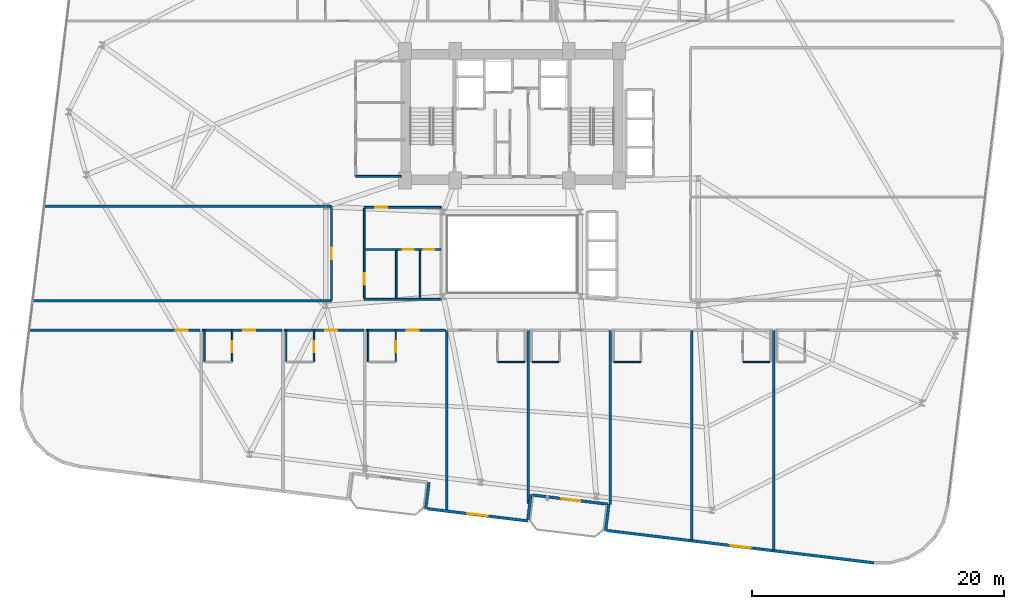
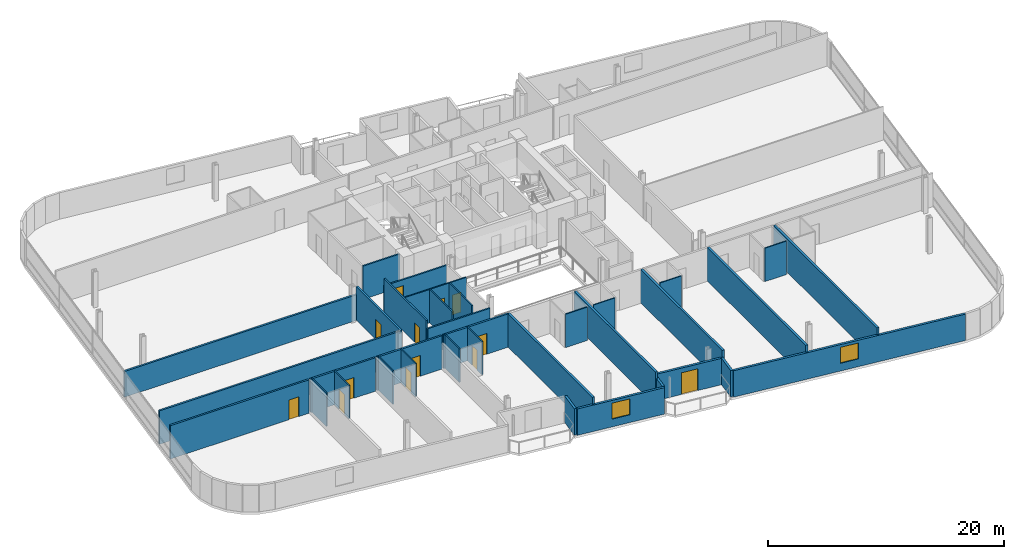
# One storey, part 20 of 26: 35 walls, 13 doors, 2 windows, 15 openings.
"""IFC4 building model written with IfcOpenShell, lengths in metres."""

from ifc_helpers import new_model, si_unit, direction, frame, frame_2d, origin, place, context, subcontext, project, spatial, rectangle, extrude, material, layer, layer_set, type_object, element, fill, save


model = new_model("IFC4")

# Units and contexts
model_context = context("Model", 3, precision=1e-05, world=origin(), true_north=direction((0.0, 1.0)))
body_context = subcontext(model_context, "Body", "Model", "MODEL_VIEW")
ifc_project = project(units=[si_unit("LENGTHUNIT", "METRE"), si_unit("AREAUNIT", "SQUARE_METRE"), si_unit("VOLUMEUNIT", "CUBIC_METRE"), si_unit("PLANEANGLEUNIT", "RADIAN"), si_unit("MASSUNIT", "GRAM", prefix="KILO")], contexts=[model_context])

# Site, building, storey
site_placement = place(None, origin())
site = spatial("IfcSite", under=ifc_project, at=site_placement, CompositionType="ELEMENT")
building_placement = place(site_placement, origin())
building = spatial("IfcBuilding", under=site, at=building_placement, Name="Varnelok Gate Tower", CompositionType="ELEMENT")
storey_placement = place(building_placement, frame((0.0, 0.0, 125.39990234375)))
storey = spatial("IfcBuildingStorey", under=building, at=storey_placement, Name="L31", CompositionType="ELEMENT", Elevation=125.39990234375)

# Wall, opening, door
ifc_material_1 = material(Name="Concrete C45/55", Category="concrete")
ifc_layer_1 = layer(ifc_material_1, 0.219970703125)
ifc_layer_set_1 = layer_set([ifc_layer_1], Name="Concrete C45/55")
wall_type_1 = type_object("IfcWallType", Name="EW-BALC-220", PredefinedType="SOLIDWALL", material=ifc_layer_set_1)
wall_1_placement = place(storey_placement, frame((46.77587890625, 3.03662109375, 0.0), z_axis=(0.0, 0.0, 1.0), x_axis=(-0.992735402148, 0.120318000826, 0.0)))
wall_1 = element("IfcWall", 1, at=wall_1_placement, inside=storey, type_object=wall_type_1, Name="L31 South Terrace Envelope Wall 2", PredefinedType="SOLIDWALL", context=body_context, shape_type="SweptSolid", body=[
    extrude(rectangle(XDim=6.000244140625, YDim=0.219970703125, at=frame_2d((3.0, 0.0))), origin(), (0.0, 0.0, 1.0), 2.72998046875),
])
opening_1_placement = place(wall_1_placement, frame((2.176025390625, 0.0, 0.0)))
opening_1 = element("IfcOpeningElement", 2, at=opening_1_placement, cuts=wall_1, Name="Opening BD-1", PredefinedType="OPENING", context=body_context, shape_type="SweptSolid", body=[
    extrude(rectangle(XDim=1.5, YDim=2.25, at=frame_2d((0.75, 1.125))), frame((0.0, 0.119873046875, 0.0), z_axis=(0.0, -1.0, 0.0), x_axis=(1.0, 0.0, 0.0)), (0.0, 0.0, 1.0), 0.239990234375),
])
ifc_material_2 = material(Name="Anodized Aluminum Alloy 6063-T6", Category="aluminium")
door_type_1 = type_object("IfcDoorType", Name="DR-EXT-BALC1500", OperationType="NOTDEFINED", PredefinedType="DOOR", material=ifc_material_2)
door_1_placement = place(opening_1_placement, origin())
door_1 = element("IfcDoor", 3, at=door_1_placement, inside=storey, type_object=door_type_1, Name="L31 South Balcony Glazed Door 2", OperationType="SINGLE_SWING_LEFT", OverallHeight=2.25, OverallWidth=1.5, PredefinedType="DOOR", context=body_context, shape_type="SweptSolid", body=[
    extrude(rectangle(XDim=1.5, YDim=2.25, at=frame_2d((0.75, 1.125))), frame((0.0, 0.02490234375, 0.0), z_axis=(0.0, -1.0, 0.0), x_axis=(1.0, 0.0, 0.0)), (0.0, 0.0, 1.0), 0.050048828125),
])
fill(opening_1, door_1)

# Wall
wall_2_placement = place(storey_placement, frame((32.600830078125, 4.764892578125, 0.0), z_axis=(0.0, 0.0, 1.0), x_axis=(-0.120327895535, -0.992734202874, 0.0)))
element("IfcWall", 4, at=wall_2_placement, inside=storey, type_object=wall_type_1, Name="L31 Perimeter Facade Closure Wall 9", PredefinedType="SOLIDWALL", context=body_context, shape_type="SweptSolid", body=[
    extrude(rectangle(XDim=2.099853515625, YDim=0.219970703125, at=frame_2d((1.0498046875, 0.0))), origin(), (0.0, 0.0, 1.0), 2.72998046875),
])

# Wall, opening, window
wall_3_placement = place(storey_placement, frame((32.47216796875, 2.6650390625, 0.0), z_axis=(0.0, 0.0, 1.0), x_axis=(0.992734661931, -0.120324108143, 0.0)))
wall_3 = element("IfcWall", 5, at=wall_3_placement, inside=storey, type_object=wall_type_1, Name="L31 Perimeter Facade Closure Wall 10", PredefinedType="SOLIDWALL", context=body_context, shape_type="SweptSolid", body=[
    extrude(rectangle(XDim=8.034912109375, YDim=0.219970703125, at=frame_2d((4.017578125, 0.0))), origin(), (0.0, 0.0, 1.0), 2.72998046875),
])
opening_2_placement = place(wall_3_placement, frame((3.1923828125, 0.0, 0.800048828125)))
opening_2 = element("IfcOpeningElement", 6, at=opening_2_placement, cuts=wall_3, Name="Opening WN3", PredefinedType="OPENING", context=body_context, shape_type="SweptSolid", body=[
    extrude(rectangle(XDim=1.64990234375, YDim=1.64990234375, at=frame_2d((0.824951171875, 0.824951171875))), frame((0.0, 0.119873046875, 0.0), z_axis=(0.0, -1.0, 0.0), x_axis=(1.0, 0.0, 0.0)), (0.0, 0.0, 1.0), 0.239990234375),
])
ifc_material_3 = material(Name="Low-E Laminated Double Glazing IGU", Category="glass")
window_type = type_object("IfcWindowType", Name="WN-HTL-1650", PartitioningType="SINGLE_PANEL", PredefinedType="WINDOW", material=ifc_material_3)
window_1_placement = place(opening_2_placement, origin())
window_1 = element("IfcWindow", 7, at=window_1_placement, inside=storey, type_object=window_type, Name="L31 Perimeter Vision Window 10", OverallHeight=1.64990234375, OverallWidth=1.64990234375, PartitioningType="SINGLE_PANEL", PredefinedType="WINDOW", context=body_context, shape_type="SweptSolid", body=[
    extrude(rectangle(XDim=1.64990234375, YDim=1.64990234375, at=frame_2d((0.824951171875, 0.824951171875))), frame((0.0, 0.030029296875, 0.0), z_axis=(0.0, -1.0, 0.0), x_axis=(1.0, 0.0, 0.0)), (0.0, 0.0, 1.0), 0.06005859375),
])
fill(opening_2, window_1)

# Walls
wall_4_placement = place(storey_placement, frame((40.4638671875, 1.822265625, 0.0), z_axis=(0.0, 0.0, 1.0), x_axis=(0.120275992932, 0.992740492538, 0.0)))
element("IfcWall", 8, at=wall_4_placement, inside=storey, type_object=wall_type_1, Name="L31 Perimeter Facade Closure Wall 11", PredefinedType="SOLIDWALL", context=body_context, shape_type="SweptSolid", body=[
    extrude(rectangle(XDim=1.97509765625, YDim=0.219970703125, at=frame_2d((0.987548828125, 0.0))), origin(), (0.0, 0.0, 1.0), 2.72998046875),
])
wall_5_placement = place(storey_placement, frame((46.89599609375, 3.031982421875, 0.0), z_axis=(0.0, 0.0, 1.0), x_axis=(-0.120327895535, -0.992734202874, 0.0)))
element("IfcWall", 9, at=wall_5_placement, inside=storey, type_object=wall_type_1, Name="L31 Perimeter Facade Closure Wall 12", PredefinedType="SOLIDWALL", context=body_context, shape_type="SweptSolid", body=[
    extrude(rectangle(XDim=2.099853515625, YDim=0.219970703125, at=frame_2d((1.0498046875, 0.0))), origin(), (0.0, 0.0, 1.0), 2.72998046875),
])

# Wall, opening, window
wall_6_placement = place(storey_placement, frame((46.767578125, 0.93212890625, 0.0), z_axis=(0.0, 0.0, 1.0), x_axis=(0.992733036814, -0.120337515419, 0.0)))
wall_6 = element("IfcWall", 10, at=wall_6_placement, inside=storey, type_object=wall_type_1, Name="L31 Perimeter Facade Closure Wall 13", PredefinedType="SOLIDWALL", context=body_context, shape_type="SweptSolid", body=[
    extrude(rectangle(XDim=21.346923828125, YDim=0.219970703125, at=frame_2d((10.67333984375, 0.0))), origin(), (0.0, 0.0, 1.0), 2.72998046875),
])
opening_3_placement = place(wall_6_placement, frame((9.8486328125, 0.0, 0.800048828125)))
opening_3 = element("IfcOpeningElement", 11, at=opening_3_placement, cuts=wall_6, Name="Opening WN3", PredefinedType="OPENING", context=body_context, shape_type="SweptSolid", body=[
    extrude(rectangle(XDim=1.64990234375, YDim=1.64990234375, at=frame_2d((0.824951171875, 0.824951171875))), frame((0.0, 0.119873046875, 0.0), z_axis=(0.0, -1.0, 0.0), x_axis=(1.0, 0.0, 0.0)), (0.0, 0.0, 1.0), 0.239990234375),
])
window_2_placement = place(opening_3_placement, origin())
window_2 = element("IfcWindow", 12, at=window_2_placement, inside=storey, type_object=window_type, Name="L31 Perimeter Vision Window 13", OverallHeight=1.64990234375, OverallWidth=1.64990234375, PartitioningType="SINGLE_PANEL", PredefinedType="WINDOW", context=body_context, shape_type="SweptSolid", body=[
    extrude(rectangle(XDim=1.64990234375, YDim=1.64990234375, at=frame_2d((0.824951171875, 0.824951171875))), frame((0.0, 0.030029296875, 0.0), z_axis=(0.0, -1.0, 0.0), x_axis=(1.0, 0.0, 0.0)), (0.0, 0.0, 1.0), 0.06005859375),
])
fill(opening_3, window_2)

# Wall, opening, door
ifc_material_4 = material(Name="Gypsum Plasterboard Acoustic Partition", Category="gypsum")
ifc_layer_2 = layer(ifc_material_4, 0.179931640625)
ifc_layer_set_2 = layer_set([ifc_layer_2], Name="Gypsum Plasterboard Acoustic Partition")
wall_type_2 = type_object("IfcWallType", Name="PW-CORR-180", PredefinedType="PARTITIONING", material=ifc_layer_set_2)
wall_7_placement = place(storey_placement, frame((0.88427734375, 16.85009765625, 0.0), z_axis=(0.0, 0.0, 1.0), x_axis=(1.0, 0.0, 0.0)))
wall_7 = element("IfcWall", 13, at=wall_7_placement, inside=storey, type_object=wall_type_2, Name="Interior Partition", PredefinedType="PARTITIONING", context=body_context, shape_type="SweptSolid", body=[
    extrude(rectangle(XDim=13.53564453125, YDim=0.179931640625, at=frame_2d((6.767822265625, 0.0))), origin(), (0.0, 0.0, 1.0), 3.4501953125),
])
opening_4_placement = place(wall_7_placement, frame((11.5908203125, 0.0, 0.0)))
opening_4 = element("IfcOpeningElement", 14, at=opening_4_placement, cuts=wall_7, Name="Opening D-I2", PredefinedType="OPENING", context=body_context, shape_type="SweptSolid", body=[
    extrude(rectangle(XDim=0.949951171875, YDim=2.050048828125, at=frame_2d((0.47509765625, 1.02490234375))), frame((0.0, 0.099853515625, 0.0), z_axis=(0.0, -1.0, 0.0), x_axis=(1.0, 0.0, 0.0)), (0.0, 0.0, 1.0), 0.199951171875),
])
ifc_material_5 = material(Name="Engineered Hardwood Timber", Category="wood")
door_type_2 = type_object("IfcDoorType", Name="DR-INT-950", OperationType="NOTDEFINED", PredefinedType="DOOR", material=ifc_material_5)
door_2_placement = place(opening_4_placement, origin())
door_2 = element("IfcDoor", 15, at=door_2_placement, inside=storey, type_object=door_type_2, Name="L31 Wellness Spa Lounge Door", OperationType="SINGLE_SWING_LEFT", OverallHeight=2.050048828125, OverallWidth=0.949951171875, PredefinedType="DOOR", context=body_context, shape_type="SweptSolid", body=[
    extrude(rectangle(XDim=0.949951171875, YDim=2.050048828125, at=frame_2d((0.47509765625, 1.02490234375))), frame((0.0, 0.02490234375, 0.0), z_axis=(0.0, -1.0, 0.0), x_axis=(1.0, 0.0, 0.0)), (0.0, 0.0, 1.0), 0.050048828125),
])
fill(opening_4, door_2)

wall_8_placement = place(storey_placement, frame((14.580078125, 16.85009765625, 0.0), z_axis=(0.0, 0.0, 1.0), x_axis=(1.0, 0.0, 0.0)))
wall_8 = element("IfcWall", 16, at=wall_8_placement, inside=storey, type_object=wall_type_2, Name="Interior Partition", PredefinedType="PARTITIONING", context=body_context, shape_type="SweptSolid", body=[
    extrude(rectangle(XDim=6.33984375, YDim=0.179931640625, at=frame_2d((3.169921875, 0.0))), origin(), (0.0, 0.0, 1.0), 3.4501953125),
])
opening_5_placement = place(wall_8_placement, frame((3.273681640625, 0.0, 0.0)))
opening_5 = element("IfcOpeningElement", 17, at=opening_5_placement, cuts=wall_8, Name="Opening D-HT", PredefinedType="OPENING", context=body_context, shape_type="SweptSolid", body=[
    extrude(rectangle(XDim=0.949951171875, YDim=2.14990234375, at=frame_2d((0.47509765625, 1.074951171875))), frame((0.0, 0.099853515625, 0.0), z_axis=(0.0, -1.0, 0.0), x_axis=(1.0, 0.0, 0.0)), (0.0, 0.0, 1.0), 0.199951171875),
])
door_type_3 = type_object("IfcDoorType", Name="DR-HTL-950", OperationType="NOTDEFINED", PredefinedType="DOOR", material=ifc_material_5)
door_3_placement = place(opening_5_placement, origin())
door_3 = element("IfcDoor", 18, at=door_3_placement, inside=storey, type_object=door_type_3, Name="L31 Guest Room 02 Entrance Door", OperationType="SINGLE_SWING_LEFT", OverallHeight=2.14990234375, OverallWidth=0.949951171875, PredefinedType="DOOR", context=body_context, shape_type="SweptSolid", body=[
    extrude(rectangle(XDim=0.949951171875, YDim=2.14990234375, at=frame_2d((0.47509765625, 1.074951171875))), frame((0.0, 0.02490234375, 0.0), z_axis=(0.0, -1.0, 0.0), x_axis=(1.0, 0.0, 0.0)), (0.0, 0.0, 1.0), 0.050048828125),
])
fill(opening_5, door_3)

wall_9_placement = place(storey_placement, frame((21.080078125, 16.85009765625, 0.0), z_axis=(0.0, 0.0, 1.0), x_axis=(1.0, 0.0, 0.0)))
wall_9 = element("IfcWall", 19, at=wall_9_placement, inside=storey, type_object=wall_type_2, Name="Interior Partition", PredefinedType="PARTITIONING", context=body_context, shape_type="SweptSolid", body=[
    extrude(rectangle(XDim=6.33984375, YDim=0.179931640625, at=frame_2d((3.169921875, 0.0))), origin(), (0.0, 0.0, 1.0), 3.4501953125),
])
opening_6_placement = place(wall_9_placement, frame((3.273681640625, 0.0, 0.0)))
opening_6 = element("IfcOpeningElement", 20, at=opening_6_placement, cuts=wall_9, Name="Opening D-HT", PredefinedType="OPENING", context=body_context, shape_type="SweptSolid", body=[
    extrude(rectangle(XDim=0.949951171875, YDim=2.14990234375, at=frame_2d((0.47509765625, 1.074951171875))), frame((0.0, 0.099853515625, 0.0), z_axis=(0.0, -1.0, 0.0), x_axis=(1.0, 0.0, 0.0)), (0.0, 0.0, 1.0), 0.199951171875),
])
door_4_placement = place(opening_6_placement, origin())
door_4 = element("IfcDoor", 21, at=door_4_placement, inside=storey, type_object=door_type_3, Name="L31 Guest Room 03 Entrance Door", OperationType="SINGLE_SWING_RIGHT", OverallHeight=2.14990234375, OverallWidth=0.949951171875, PredefinedType="DOOR", context=body_context, shape_type="SweptSolid", body=[
    extrude(rectangle(XDim=0.949951171875, YDim=2.14990234375, at=frame_2d((0.47509765625, 1.074951171875))), frame((0.0, 0.02490234375, 0.0), z_axis=(0.0, -1.0, 0.0), x_axis=(1.0, 0.0, 0.0)), (0.0, 0.0, 1.0), 0.050048828125),
])
fill(opening_6, door_4)

wall_10_placement = place(storey_placement, frame((27.580078125, 16.85009765625, 0.0), z_axis=(0.0, 0.0, 1.0), x_axis=(1.0, 0.0, 0.0)))
wall_10 = element("IfcWall", 22, at=wall_10_placement, inside=storey, type_object=wall_type_2, Name="Interior Partition", PredefinedType="PARTITIONING", context=body_context, shape_type="SweptSolid", body=[
    extrude(rectangle(XDim=6.33984375, YDim=0.179931640625, at=frame_2d((3.169921875, 0.0))), origin(), (0.0, 0.0, 1.0), 3.4501953125),
])
opening_7_placement = place(wall_10_placement, frame((3.273681640625, 0.0, 0.0)))
opening_7 = element("IfcOpeningElement", 23, at=opening_7_placement, cuts=wall_10, Name="Opening D-HT", PredefinedType="OPENING", context=body_context, shape_type="SweptSolid", body=[
    extrude(rectangle(XDim=0.949951171875, YDim=2.14990234375, at=frame_2d((0.47509765625, 1.074951171875))), frame((0.0, 0.099853515625, 0.0), z_axis=(0.0, -1.0, 0.0), x_axis=(1.0, 0.0, 0.0)), (0.0, 0.0, 1.0), 0.199951171875),
])
door_5_placement = place(opening_7_placement, origin())
door_5 = element("IfcDoor", 24, at=door_5_placement, inside=storey, type_object=door_type_3, Name="L31 Guest Room 04 Entrance Door", OperationType="SINGLE_SWING_LEFT", OverallHeight=2.14990234375, OverallWidth=0.949951171875, PredefinedType="DOOR", context=body_context, shape_type="SweptSolid", body=[
    extrude(rectangle(XDim=0.949951171875, YDim=2.14990234375, at=frame_2d((0.47509765625, 1.074951171875))), frame((0.0, 0.02490234375, 0.0), z_axis=(0.0, -1.0, 0.0), x_axis=(1.0, 0.0, 0.0)), (0.0, 0.0, 1.0), 0.050048828125),
])
fill(opening_7, door_5)

wall_11_placement = place(storey_placement, frame((24.85009765625, 19.199951171875, 0.0), z_axis=(0.0, 0.0, 1.0), x_axis=(0.0, 1.0, 0.0)))
wall_11 = element("IfcWall", 25, at=wall_11_placement, inside=storey, type_object=wall_type_2, Name="Interior Partition", PredefinedType="PARTITIONING", context=body_context, shape_type="SweptSolid", body=[
    extrude(rectangle(XDim=7.5, YDim=0.179931640625, at=frame_2d((3.75, 0.0))), origin(), (0.0, 0.0, 1.0), 3.4501953125),
])
opening_8_placement = place(wall_11_placement, frame((3.27490234375, 0.0, 0.0)))
opening_8 = element("IfcOpeningElement", 26, at=opening_8_placement, cuts=wall_11, Name="Opening D-I2", PredefinedType="OPENING", context=body_context, shape_type="SweptSolid", body=[
    extrude(rectangle(XDim=0.949951171875, YDim=2.050048828125, at=frame_2d((0.47509765625, 1.02490234375))), frame((0.0, 0.099853515625, 0.0), z_axis=(0.0, -1.0, 0.0), x_axis=(1.0, 0.0, 0.0)), (0.0, 0.0, 1.0), 0.199951171875),
])
door_6_placement = place(opening_8_placement, origin())
door_6 = element("IfcDoor", 27, at=door_6_placement, inside=storey, type_object=door_type_2, Name="L31 West Flank Room Door", OperationType="SINGLE_SWING_LEFT", OverallHeight=2.050048828125, OverallWidth=0.949951171875, PredefinedType="DOOR", context=body_context, shape_type="SweptSolid", body=[
    extrude(rectangle(XDim=0.949951171875, YDim=2.050048828125, at=frame_2d((0.47509765625, 1.02490234375))), frame((0.0, 0.02490234375, 0.0), z_axis=(0.0, -1.0, 0.0), x_axis=(1.0, 0.0, 0.0)), (0.0, 0.0, 1.0), 0.050048828125),
])
fill(opening_8, door_6)

# Walls
wall_12_placement = place(storey_placement, frame((1.169189453125, 19.199951171875, 0.0), z_axis=(0.0, 0.0, 1.0), x_axis=(1.0, 0.0, 0.0)))
element("IfcWall", 28, at=wall_12_placement, inside=storey, type_object=wall_type_2, Name="Interior Partition", PredefinedType="PARTITIONING", context=body_context, shape_type="SweptSolid", body=[
    extrude(rectangle(XDim=23.680908203125, YDim=0.179931640625, at=frame_2d((11.84033203125, 0.0))), origin(), (0.0, 0.0, 1.0), 3.4501953125),
])
wall_13_placement = place(storey_placement, frame((2.078369140625, 26.699951171875, 0.0), z_axis=(0.0, 0.0, 1.0), x_axis=(1.0, 0.0, 0.0)))
element("IfcWall", 29, at=wall_13_placement, inside=storey, type_object=wall_type_2, Name="Interior Partition", PredefinedType="PARTITIONING", context=body_context, shape_type="SweptSolid", body=[
    extrude(rectangle(XDim=22.771728515625, YDim=0.179931640625, at=frame_2d((11.3857421875, 0.0))), origin(), (0.0, 0.0, 1.0), 2.662109375),
])

# Wall, opening, door
ifc_layer_3 = layer(ifc_material_4, 0.114990234375)
ifc_layer_set_3 = layer_set([ifc_layer_3], Name="Gypsum Plasterboard Acoustic Partition")
wall_type_3 = type_object("IfcWallType", Name="PW-ENS-125", PredefinedType="PARTITIONING", material=ifc_layer_set_3)
wall_14_placement = place(storey_placement, frame((16.964111328125, 14.330078125, 0.0), z_axis=(0.0, 0.0, 1.0), x_axis=(0.0, 1.0, 0.0)))
wall_14 = element("IfcWall", 30, at=wall_14_placement, inside=storey, type_object=wall_type_3, Name="Interior Partition", PredefinedType="PARTITIONING", context=body_context, shape_type="SweptSolid", body=[
    extrude(rectangle(XDim=2.52001953125, YDim=0.114990234375, at=frame_2d((1.260009765625, 0.0))), origin(), (0.0, 0.0, 1.0), 3.4501953125),
])
opening_9_placement = place(wall_14_placement, frame((0.760009765625, 0.0, 0.0)))
opening_9 = element("IfcOpeningElement", 31, at=opening_9_placement, cuts=wall_14, Name="Opening D-WC", PredefinedType="OPENING", context=body_context, shape_type="SweptSolid", body=[
    extrude(rectangle(XDim=0.89990234375, YDim=2.050048828125, at=frame_2d((0.449951171875, 1.02490234375))), frame((0.0, 0.0673828125, 0.0), z_axis=(0.0, -1.0, 0.0), x_axis=(1.0, 0.0, 0.0)), (0.0, 0.0, 1.0), 0.135009765625),
])
door_type_4 = type_object("IfcDoorType", Name="DR-BATH-900", OperationType="NOTDEFINED", PredefinedType="DOOR", material=ifc_material_5)
door_7_placement = place(opening_9_placement, origin())
door_7 = element("IfcDoor", 32, at=door_7_placement, inside=storey, type_object=door_type_4, Name="L31 Guest En-Suite 02 Door", OperationType="SINGLE_SWING_LEFT", OverallHeight=2.050048828125, OverallWidth=0.89990234375, PredefinedType="DOOR", context=body_context, shape_type="SweptSolid", body=[
    extrude(rectangle(XDim=0.89990234375, YDim=2.050048828125, at=frame_2d((0.449951171875, 1.02490234375))), frame((0.0, 0.02490234375, 0.0), z_axis=(0.0, -1.0, 0.0), x_axis=(1.0, 0.0, 0.0)), (0.0, 0.0, 1.0), 0.050048828125),
])
fill(opening_9, door_7)

# Wall
wall_15_placement = place(storey_placement, frame((14.760009765625, 14.330078125, 0.0), z_axis=(0.0, 0.0, 1.0), x_axis=(0.0, 1.0, 0.0)))
element("IfcWall", 33, at=wall_15_placement, inside=storey, type_object=wall_type_3, Name="Interior Partition", PredefinedType="PARTITIONING", context=body_context, shape_type="SweptSolid", body=[
    extrude(rectangle(XDim=2.52001953125, YDim=0.114990234375, at=frame_2d((1.260009765625, 0.0))), origin(), (0.0, 0.0, 1.0), 3.4501953125),
])

# Wall, opening, door
wall_16_placement = place(storey_placement, frame((23.464111328125, 14.330078125, 0.0), z_axis=(0.0, 0.0, 1.0), x_axis=(0.0, 1.0, 0.0)))
wall_16 = element("IfcWall", 34, at=wall_16_placement, inside=storey, type_object=wall_type_3, Name="Interior Partition", PredefinedType="PARTITIONING", context=body_context, shape_type="SweptSolid", body=[
    extrude(rectangle(XDim=2.52001953125, YDim=0.114990234375, at=frame_2d((1.260009765625, 0.0))), origin(), (0.0, 0.0, 1.0), 3.4501953125),
])
opening_10_placement = place(wall_16_placement, frame((0.760009765625, 0.0, 0.0)))
opening_10 = element("IfcOpeningElement", 35, at=opening_10_placement, cuts=wall_16, Name="Opening D-WC", PredefinedType="OPENING", context=body_context, shape_type="SweptSolid", body=[
    extrude(rectangle(XDim=0.89990234375, YDim=2.050048828125, at=frame_2d((0.449951171875, 1.02490234375))), frame((0.0, 0.0673828125, 0.0), z_axis=(0.0, -1.0, 0.0), x_axis=(1.0, 0.0, 0.0)), (0.0, 0.0, 1.0), 0.135009765625),
])
door_8_placement = place(opening_10_placement, origin())
door_8 = element("IfcDoor", 36, at=door_8_placement, inside=storey, type_object=door_type_4, Name="L31 Guest En-Suite 03 Door", OperationType="SINGLE_SWING_LEFT", OverallHeight=2.050048828125, OverallWidth=0.89990234375, PredefinedType="DOOR", context=body_context, shape_type="SweptSolid", body=[
    extrude(rectangle(XDim=0.89990234375, YDim=2.050048828125, at=frame_2d((0.449951171875, 1.02490234375))), frame((0.0, 0.02490234375, 0.0), z_axis=(0.0, -1.0, 0.0), x_axis=(1.0, 0.0, 0.0)), (0.0, 0.0, 1.0), 0.050048828125),
])
fill(opening_10, door_8)

# Wall
wall_17_placement = place(storey_placement, frame((21.260009765625, 14.330078125, 0.0), z_axis=(0.0, 0.0, 1.0), x_axis=(0.0, 1.0, 0.0)))
element("IfcWall", 37, at=wall_17_placement, inside=storey, type_object=wall_type_3, Name="Interior Partition", PredefinedType="PARTITIONING", context=body_context, shape_type="SweptSolid", body=[
    extrude(rectangle(XDim=2.52001953125, YDim=0.114990234375, at=frame_2d((1.260009765625, 0.0))), origin(), (0.0, 0.0, 1.0), 3.4501953125),
])

# Wall, opening, door
wall_18_placement = place(storey_placement, frame((29.964111328125, 14.330078125, 0.0), z_axis=(0.0, 0.0, 1.0), x_axis=(0.0, 1.0, 0.0)))
wall_18 = element("IfcWall", 38, at=wall_18_placement, inside=storey, type_object=wall_type_3, Name="Interior Partition", PredefinedType="PARTITIONING", context=body_context, shape_type="SweptSolid", body=[
    extrude(rectangle(XDim=2.52001953125, YDim=0.114990234375, at=frame_2d((1.260009765625, 0.0))), origin(), (0.0, 0.0, 1.0), 3.4501953125),
])
opening_11_placement = place(wall_18_placement, frame((0.760009765625, 0.0, 0.0)))
opening_11 = element("IfcOpeningElement", 39, at=opening_11_placement, cuts=wall_18, Name="Opening D-WC", PredefinedType="OPENING", context=body_context, shape_type="SweptSolid", body=[
    extrude(rectangle(XDim=0.89990234375, YDim=2.050048828125, at=frame_2d((0.449951171875, 1.02490234375))), frame((0.0, 0.0673828125, 0.0), z_axis=(0.0, -1.0, 0.0), x_axis=(1.0, 0.0, 0.0)), (0.0, 0.0, 1.0), 0.135009765625),
])
door_9_placement = place(opening_11_placement, origin())
door_9 = element("IfcDoor", 40, at=door_9_placement, inside=storey, type_object=door_type_4, Name="L31 Guest En-Suite 04 Door", OperationType="SINGLE_SWING_LEFT", OverallHeight=2.050048828125, OverallWidth=0.89990234375, PredefinedType="DOOR", context=body_context, shape_type="SweptSolid", body=[
    extrude(rectangle(XDim=0.89990234375, YDim=2.050048828125, at=frame_2d((0.449951171875, 1.02490234375))), frame((0.0, 0.02490234375, 0.0), z_axis=(0.0, -1.0, 0.0), x_axis=(1.0, 0.0, 0.0)), (0.0, 0.0, 1.0), 0.050048828125),
])
fill(opening_11, door_9)

# Walls
wall_19_placement = place(storey_placement, frame((27.760009765625, 14.330078125, 0.0), z_axis=(0.0, 0.0, 1.0), x_axis=(0.0, 1.0, 0.0)))
element("IfcWall", 41, at=wall_19_placement, inside=storey, type_object=wall_type_3, Name="Interior Partition", PredefinedType="PARTITIONING", context=body_context, shape_type="SweptSolid", body=[
    extrude(rectangle(XDim=2.52001953125, YDim=0.114990234375, at=frame_2d((1.260009765625, 0.0))), origin(), (0.0, 0.0, 1.0), 3.4501953125),
])
for number, where, z_axis, x_axis, name in (
    (42, (38.075927734375, 14.330078125, 0.0), (0.0, 0.0, 1.0), (1.0, 0.0, 0.0), "Interior Partition"),
    (43, (40.800048828125, 14.330078125, 0.0), (0.0, 0.0, 1.0), (1.0, 0.0, 0.0), "Interior Partition"),
    (44, (47.300048828125, 14.330078125, 0.0), (0.0, 0.0, 1.0), (1.0, 0.0, 0.0), "Interior Partition"),
    (45, (57.575927734375, 14.330078125, 0.0), (0.0, 0.0, 1.0), (1.0, 0.0, 0.0), "Interior Partition"),
):
    element("IfcWall", number, at=place(storey_placement, frame(where, z_axis=z_axis, x_axis=x_axis)), inside=storey, type_object=wall_type_3, Name=name, PredefinedType="PARTITIONING", context=body_context, shape_type="SweptSolid", body=[
        extrude(rectangle(XDim=2.1240234375, YDim=0.114990234375, at=frame_2d((1.06201171875, 0.0))), origin(), (0.0, 0.0, 1.0), 3.4501953125),
    ])

# Wall, openings, doors
ifc_layer_4 = layer(ifc_material_4, 0.125)
ifc_layer_set_4 = layer_set([ifc_layer_4], Name="Gypsum Plasterboard Acoustic Partition")
wall_type_4 = type_object("IfcWallType", Name="PW-PART-125", PredefinedType="PARTITIONING", material=ifc_layer_set_4)
wall_20_placement = place(storey_placement, frame((27.52001953125, 23.27001953125, 0.0), z_axis=(0.0, 0.0, 1.0), x_axis=(1.0, 0.0, 0.0)))
wall_20 = element("IfcWall", 46, at=wall_20_placement, inside=storey, type_object=wall_type_4, Name="Interior Partition", PredefinedType="PARTITIONING", context=body_context, shape_type="SweptSolid", body=[
    extrude(rectangle(XDim=6.0, YDim=0.125, at=frame_2d((3.0, 0.0))), origin(), (0.0, 0.0, 1.0), 3.4501953125),
])
opening_12_placement = place(wall_20_placement, frame((2.981689453125, 0.0, 0.0)))
opening_12 = element("IfcOpeningElement", 47, at=opening_12_placement, cuts=wall_20, Name="Opening D-I4", PredefinedType="OPENING", context=body_context, shape_type="SweptSolid", body=[
    extrude(rectangle(XDim=0.89990234375, YDim=2.050048828125, at=frame_2d((0.449951171875, 1.02490234375))), frame((0.0, 0.072509765625, 0.0), z_axis=(0.0, -1.0, 0.0), x_axis=(1.0, 0.0, 0.0)), (0.0, 0.0, 1.0), 0.14501953125),
])
opening_13_placement = place(wall_20_placement, frame((4.64990234375, 0.0, 0.0)))
opening_13 = element("IfcOpeningElement", 48, at=opening_13_placement, cuts=wall_20, Name="Opening D-RS", PredefinedType="OPENING", context=body_context, shape_type="SweptSolid", body=[
    extrude(rectangle(XDim=0.85009765625, YDim=2.050048828125, at=frame_2d((0.425048828125, 1.02490234375))), frame((0.0, 0.072509765625, 0.0), z_axis=(0.0, -1.0, 0.0), x_axis=(1.0, 0.0, 0.0)), (0.0, 0.0, 1.0), 0.14501953125),
])
door_type_5 = type_object("IfcDoorType", Name="DR-INT-900", OperationType="NOTDEFINED", PredefinedType="DOOR", material=ifc_material_5)
door_10_placement = place(opening_12_placement, origin())
door_10 = element("IfcDoor", 49, at=door_10_placement, inside=storey, type_object=door_type_5, Name="L31 Trolley Room Door", OperationType="SINGLE_SWING_LEFT", OverallHeight=2.050048828125, OverallWidth=0.89990234375, PredefinedType="DOOR", context=body_context, shape_type="SweptSolid", body=[
    extrude(rectangle(XDim=0.89990234375, YDim=2.050048828125, at=frame_2d((0.449951171875, 1.02490234375))), frame((0.0, 0.02490234375, 0.0), z_axis=(0.0, -1.0, 0.0), x_axis=(1.0, 0.0, 0.0)), (0.0, 0.0, 1.0), 0.050048828125),
])
fill(opening_12, door_10)
ifc_material_6 = material(Name="Galvanized Steel Grade S350GD", Category="steel")
door_type_6 = type_object("IfcDoorType", Name="DR-RISER-850", OperationType="NOTDEFINED", PredefinedType="DOOR", material=ifc_material_6)
door_11_placement = place(opening_13_placement, origin())
door_11 = element("IfcDoor", 50, at=door_11_placement, inside=storey, type_object=door_type_6, Name="L31 Janitor Sink Door", OperationType="SINGLE_SWING_RIGHT", OverallHeight=2.050048828125, OverallWidth=0.85009765625, PredefinedType="DOOR", context=body_context, shape_type="SweptSolid", body=[
    extrude(rectangle(XDim=0.85009765625, YDim=2.050048828125, at=frame_2d((0.425048828125, 1.02490234375))), frame((0.0, 0.02490234375, 0.0), z_axis=(0.0, -1.0, 0.0), x_axis=(1.0, 0.0, 0.0)), (0.0, 0.0, 1.0), 0.050048828125),
])
fill(opening_13, door_11)

# Walls
for number, where, z_axis, x_axis, name in (
    (51, (30.0, 19.3798828125, 0.0), (0.0, 0.0, 1.0), (0.0, 1.0, 0.0), "Interior Partition"),
    (52, (31.89990234375, 19.3798828125, 0.0), (0.0, 0.0, 1.0), (0.0, 1.0, 0.0), "Interior Partition"),
):
    element("IfcWall", number, at=place(storey_placement, frame(where, z_axis=z_axis, x_axis=x_axis)), inside=storey, type_object=wall_type_4, Name=name, PredefinedType="PARTITIONING", context=body_context, shape_type="SweptSolid", body=[
        extrude(rectangle(XDim=3.820068359375, YDim=0.125, at=frame_2d((1.91015625, 0.0))), origin(), (0.0, 0.0, 1.0), 3.4501953125),
    ])

# Wall, opening, door
ifc_layer_5 = layer(ifc_material_4, 0.14990234375)
ifc_layer_set_5 = layer_set([ifc_layer_5], Name="Gypsum Plasterboard Acoustic Partition")
wall_type_5 = type_object("IfcWallType", Name="PW-PART-150", PredefinedType="PARTITIONING", material=ifc_layer_set_5)
wall_21_placement = place(storey_placement, frame((27.4599609375, 26.6201171875, 0.0), z_axis=(0.0, 0.0, 1.0), x_axis=(1.0, 0.0, 0.0)))
wall_21 = element("IfcWall", 53, at=wall_21_placement, inside=storey, type_object=wall_type_5, Name="Interior Partition", PredefinedType="PARTITIONING", context=body_context, shape_type="SweptSolid", body=[
    extrude(rectangle(XDim=6.10009765625, YDim=0.14990234375, at=frame_2d((3.050048828125, 0.0))), origin(), (0.0, 0.0, 1.0), 2.662109375),
])
opening_14_placement = place(wall_21_placement, frame((0.8896484375, 0.0, 0.0)))
opening_14 = element("IfcOpeningElement", 54, at=opening_14_placement, cuts=wall_21, Name="Opening D-I2", PredefinedType="OPENING", context=body_context, shape_type="SweptSolid", body=[
    extrude(rectangle(XDim=0.949951171875, YDim=2.050048828125, at=frame_2d((0.47509765625, 1.02490234375))), frame((0.0, 0.0849609375, 0.0), z_axis=(0.0, -1.0, 0.0), x_axis=(1.0, 0.0, 0.0)), (0.0, 0.0, 1.0), 0.169921875),
])
door_12_placement = place(opening_14_placement, origin())
door_12 = element("IfcDoor", 55, at=door_12_placement, inside=storey, type_object=door_type_2, Name="L31 Private Owners Horizon Club Door", OperationType="SINGLE_SWING_LEFT", OverallHeight=2.050048828125, OverallWidth=0.949951171875, PredefinedType="DOOR", context=body_context, shape_type="SweptSolid", body=[
    extrude(rectangle(XDim=0.949951171875, YDim=2.050048828125, at=frame_2d((0.47509765625, 1.02490234375))), frame((0.0, 0.02490234375, 0.0), z_axis=(0.0, -1.0, 0.0), x_axis=(1.0, 0.0, 0.0)), (0.0, 0.0, 1.0), 0.050048828125),
])
fill(opening_14, door_12)

# Wall
wall_22_placement = place(storey_placement, frame((27.4599609375, 19.300048828125, 0.0), z_axis=(0.0, 0.0, 1.0), x_axis=(1.0, 0.0, 0.0)))
element("IfcWall", 56, at=wall_22_placement, inside=storey, type_object=wall_type_5, Name="Interior Partition", PredefinedType="PARTITIONING", context=body_context, shape_type="SweptSolid", body=[
    extrude(rectangle(XDim=6.10009765625, YDim=0.14990234375, at=frame_2d((3.050048828125, 0.0))), origin(), (0.0, 0.0, 1.0), 2.662109375),
])

# Wall, opening, door
wall_23_placement = place(storey_placement, frame((27.4599609375, 19.3798828125, 0.0), z_axis=(0.0, 0.0, 1.0), x_axis=(0.0, 1.0, 0.0)))
wall_23 = element("IfcWall", 57, at=wall_23_placement, inside=storey, type_object=wall_type_5, Name="Interior Partition", PredefinedType="PARTITIONING", context=body_context, shape_type="SweptSolid", body=[
    extrude(rectangle(XDim=7.16015625, YDim=0.14990234375, at=frame_2d((3.580078125, 0.0))), origin(), (0.0, 0.0, 1.0), 3.4501953125),
])
opening_15_placement = place(wall_23_placement, frame((1.10009765625, 0.0, 0.0)))
opening_15 = element("IfcOpeningElement", 58, at=opening_15_placement, cuts=wall_23, Name="Opening D-WC", PredefinedType="OPENING", context=body_context, shape_type="SweptSolid", body=[
    extrude(rectangle(XDim=0.89990234375, YDim=2.050048828125, at=frame_2d((0.449951171875, 1.02490234375))), frame((0.0, 0.0849609375, 0.0), z_axis=(0.0, -1.0, 0.0), x_axis=(1.0, 0.0, 0.0)), (0.0, 0.0, 1.0), 0.169921875),
])
door_13_placement = place(opening_15_placement, origin())
door_13 = element("IfcDoor", 59, at=door_13_placement, inside=storey, type_object=door_type_4, Name="L31 Accessible Floor WC Door", OperationType="SINGLE_SWING_RIGHT", OverallHeight=2.050048828125, OverallWidth=0.89990234375, PredefinedType="DOOR", context=body_context, shape_type="SweptSolid", body=[
    extrude(rectangle(XDim=0.89990234375, YDim=2.050048828125, at=frame_2d((0.449951171875, 1.02490234375))), frame((0.0, 0.02490234375, 0.0), z_axis=(0.0, -1.0, 0.0), x_axis=(1.0, 0.0, 0.0)), (0.0, 0.0, 1.0), 0.050048828125),
])
fill(opening_15, door_13)

# Walls
wall_24_placement = place(storey_placement, frame((26.780029296875, 29.080078125, 0.0), z_axis=(0.0, 0.0, 1.0), x_axis=(1.0, 0.0, 0.0)))
element("IfcWall", 60, at=wall_24_placement, inside=storey, type_object=wall_type_5, Name="Interior Partition", PredefinedType="PARTITIONING", context=body_context, shape_type="SweptSolid", body=[
    extrude(rectangle(XDim=3.599853515625, YDim=0.14990234375, at=frame_2d((1.7998046875, 0.0))), origin(), (0.0, 0.0, 1.0), 3.4501953125),
])
ifc_layer_6 = layer(ifc_material_4, 0.205078125)
ifc_layer_set_6 = layer_set([ifc_layer_6], Name="Gypsum Plasterboard Acoustic Partition")
wall_type_6 = type_object("IfcWallType", Name="PW-PARTY-200", PredefinedType="PARTITIONING", material=ifc_layer_set_6)
wall_25_placement = place(storey_placement, frame((34.0, 2.5, 0.0), z_axis=(0.0, 0.0, 1.0), x_axis=(0.0, 1.0, 0.0)))
element("IfcWall", 61, at=wall_25_placement, inside=storey, type_object=wall_type_6, Name="L31 South Party Wall 4", PredefinedType="PARTITIONING", context=body_context, shape_type="SweptSolid", body=[
    extrude(rectangle(XDim=14.35009765625, YDim=0.205078125, at=frame_2d((7.175048828125, 0.0))), origin(), (0.0, 0.0, 1.0), 3.4501953125),
])
wall_26_placement = place(storey_placement, frame((40.5, 3.076904296875, 0.0), z_axis=(0.0, 0.0, 1.0), x_axis=(0.0, 1.0, 0.0)))
element("IfcWall", 62, at=wall_26_placement, inside=storey, type_object=wall_type_6, Name="L31 South Party Wall 5", PredefinedType="PARTITIONING", context=body_context, shape_type="SweptSolid", body=[
    extrude(rectangle(XDim=13.773193359375, YDim=0.205078125, at=frame_2d((6.88671875, 0.0))), origin(), (0.0, 0.0, 1.0), 3.4501953125),
])
wall_27_placement = place(storey_placement, frame((47.0, 3.019287109375, 0.0), z_axis=(0.0, 0.0, 1.0), x_axis=(0.0, 1.0, 0.0)))
element("IfcWall", 63, at=wall_27_placement, inside=storey, type_object=wall_type_6, Name="L31 South Party Wall 6", PredefinedType="PARTITIONING", context=body_context, shape_type="SweptSolid", body=[
    extrude(rectangle(XDim=13.830810546875, YDim=0.205078125, at=frame_2d((6.91552734375, 0.0))), origin(), (0.0, 0.0, 1.0), 3.4501953125),
])
wall_28_placement = place(storey_placement, frame((53.5, 0.13623046875, 0.0), z_axis=(0.0, 0.0, 1.0), x_axis=(0.0, 1.0, 0.0)))
element("IfcWall", 64, at=wall_28_placement, inside=storey, type_object=wall_type_6, Name="L31 South Party Wall 7", PredefinedType="PARTITIONING", context=body_context, shape_type="SweptSolid", body=[
    extrude(rectangle(XDim=16.7138671875, YDim=0.205078125, at=frame_2d((8.35693359375, 0.0))), origin(), (0.0, 0.0, 1.0), 3.4501953125),
])
wall_29_placement = place(storey_placement, frame((60.0, -0.65185546875, 0.0), z_axis=(0.0, 0.0, 1.0), x_axis=(0.0, 1.0, 0.0)))
element("IfcWall", 65, at=wall_29_placement, inside=storey, type_object=wall_type_6, Name="L31 South Party Wall 8", PredefinedType="PARTITIONING", context=body_context, shape_type="SweptSolid", body=[
    extrude(rectangle(XDim=17.501953125, YDim=0.205078125, at=frame_2d((8.7509765625, 0.0))), origin(), (0.0, 0.0, 1.0), 3.4501953125),
])

save(model, "model.ifc")
